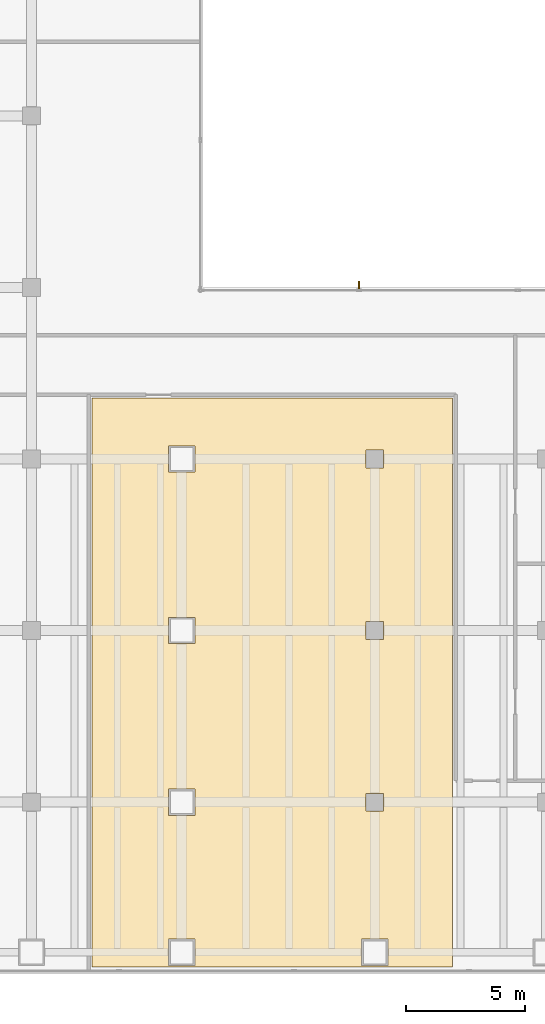
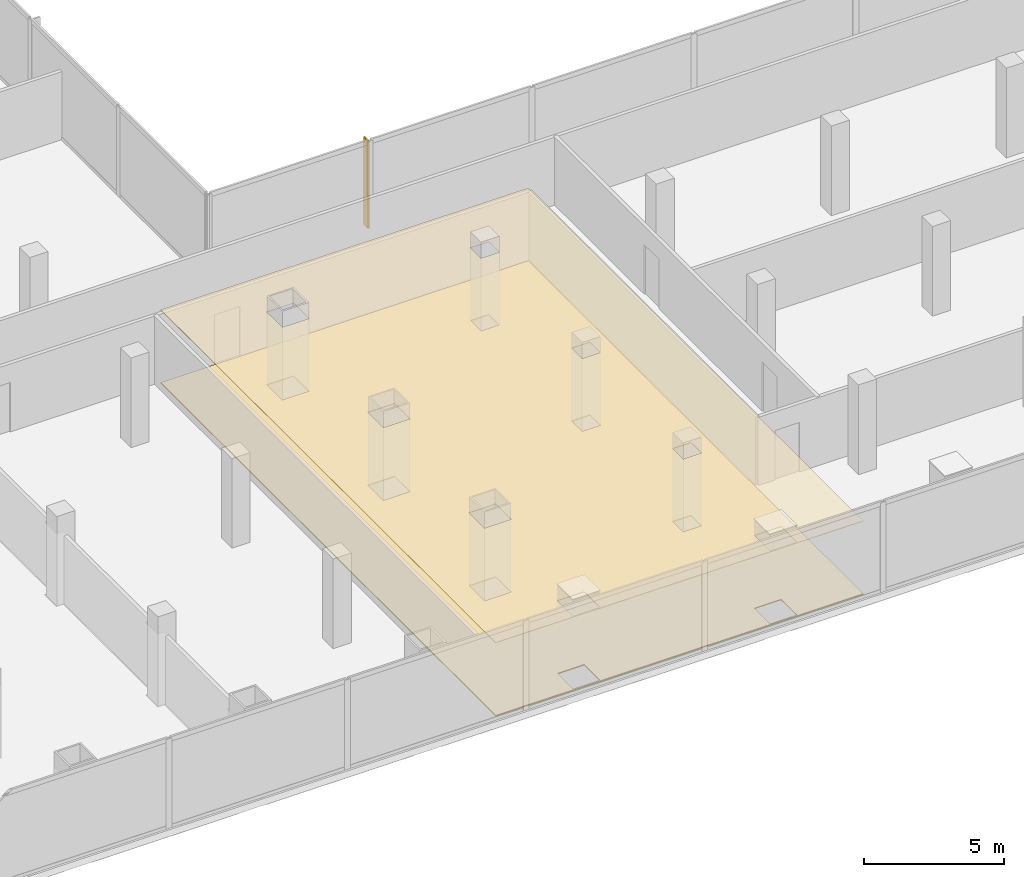
# One storey, part 29 of 32: 2 coverings, 1 shading device.
"""IFC4 building model written with IfcOpenShell, lengths in metres."""

from ifc_helpers import new_model, si_unit, direction, frame, origin, place, context, subcontext, project, spatial, polyline, outline, extrude, material, layer, layer_set, type_object, element, save


model = new_model("IFC4")

# Units and contexts
model_context = context("Model", 3, precision=1e-05, world=origin(), true_north=direction((0.0, 1.0)))
body_context = subcontext(model_context, "Body", "Model", "MODEL_VIEW")
ifc_project = project(units=[si_unit("LENGTHUNIT", "METRE"), si_unit("AREAUNIT", "SQUARE_METRE"), si_unit("VOLUMEUNIT", "CUBIC_METRE"), si_unit("PLANEANGLEUNIT", "RADIAN"), si_unit("MASSUNIT", "GRAM", prefix="KILO")], contexts=[model_context])

# Site, building, storey
site_placement = place(None, origin())
site = spatial("IfcSite", under=ifc_project, at=site_placement, CompositionType="ELEMENT")
building_placement = place(site_placement, origin())
building = spatial("IfcBuilding", under=site, at=building_placement, Name="Cobrela Telecom Tower", CompositionType="ELEMENT")
storey_placement = place(building_placement, frame((0.0, 0.0, 22.050048828125)))
storey = spatial("IfcBuildingStorey", under=building, at=storey_placement, Name="L05", CompositionType="ELEMENT", Elevation=22.050048828125)

# Coverings
ifc_material_1 = material(Name="Mineral Fibre Acoustic Ceiling Tile")
ifc_layer_1 = layer(ifc_material_1, 0.02490234375)
ifc_layer_set_1 = layer_set([ifc_layer_1], Name="Mineral Fibre Acoustic Ceiling Tile")
covering_type_1 = type_object("IfcCoveringType", Name="COV-CEIL-ACT", PredefinedType="CEILING", material=ifc_layer_set_1)
covering_1_placement = place(storey_placement, frame((0.0, 0.0, 3.179931640625)))
element("IfcCovering", 1, at=covering_1_placement, inside=storey, type_object=covering_type_1, Name="L05 Optical Training Classroom Suspended Acoustic Ceiling", PredefinedType="CEILING", context=body_context, shape_type="SweptSolid", body=[
    extrude(outline(polyline([(60.860107421875, 0.2900390625), (45.739990234375, 0.2900390625), (45.739990234375, 24.159912109375), (60.860107421875, 24.159912109375), (60.860107421875, 0.2900390625)]), holes=[polyline([(48.949951171875, 0.35009765625), (50.050048828125, 0.35009765625), (50.050048828125, 1.449951171875), (48.949951171875, 1.449951171875), (48.949951171875, 0.35009765625)]), polyline([(50.050048828125, 6.64990234375), (50.050048828125, 7.75), (48.949951171875, 7.75), (48.949951171875, 6.64990234375), (50.050048828125, 6.64990234375)]), polyline([(48.949951171875, 13.85009765625), (50.050048828125, 13.85009765625), (50.050048828125, 14.949951171875), (48.949951171875, 14.949951171875), (48.949951171875, 13.85009765625)]), polyline([(48.949951171875, 21.050048828125), (50.050048828125, 21.050048828125), (50.050048828125, 22.14990234375), (48.949951171875, 22.14990234375), (48.949951171875, 21.050048828125)]), polyline([(57.050048828125, 0.35009765625), (58.14990234375, 0.35009765625), (58.14990234375, 1.449951171875), (57.050048828125, 1.449951171875), (57.050048828125, 0.35009765625)]), polyline([(57.97509765625, 6.824951171875), (57.97509765625, 7.574951171875), (57.22509765625, 7.574951171875), (57.22509765625, 6.824951171875), (57.97509765625, 6.824951171875)]), polyline([(57.22509765625, 14.02490234375), (57.97509765625, 14.02490234375), (57.97509765625, 14.77490234375), (57.22509765625, 14.77490234375), (57.22509765625, 14.02490234375)]), polyline([(57.22509765625, 21.22509765625), (57.97509765625, 21.22509765625), (57.97509765625, 21.97509765625), (57.22509765625, 21.97509765625), (57.22509765625, 21.22509765625)])]), origin(), (0.0, 0.0, 1.0), 0.02490234375),
])
ifc_material_2 = material(Name="Honed Colombian Basalt Stone", Category="masonry")
ifc_layer_2 = layer(ifc_material_2, 0.0400390625)
ifc_layer_set_2 = layer_set([ifc_layer_2], Name="Honed Colombian Basalt Stone")
covering_type_2 = type_object("IfcCoveringType", Name="COV-FLR-STONE", PredefinedType="FLOORING", material=ifc_layer_set_2)
covering_2_placement = place(storey_placement, origin())
element("IfcCovering", 2, at=covering_2_placement, inside=storey, type_object=covering_type_2, Name="L05 Optical Training Classroom Raised Technical Flooring", PredefinedType="FLOORING", context=body_context, shape_type="SweptSolid", body=[
    extrude(outline(polyline([(60.860107421875, 0.2900390625), (45.739990234375, 0.2900390625), (45.739990234375, 24.159912109375), (60.860107421875, 24.159912109375), (60.860107421875, 0.2900390625)]), holes=[polyline([(48.949951171875, 0.35009765625), (50.050048828125, 0.35009765625), (50.050048828125, 1.449951171875), (48.949951171875, 1.449951171875), (48.949951171875, 0.35009765625)]), polyline([(50.050048828125, 6.64990234375), (50.050048828125, 7.75), (48.949951171875, 7.75), (48.949951171875, 6.64990234375), (50.050048828125, 6.64990234375)]), polyline([(48.949951171875, 13.85009765625), (50.050048828125, 13.85009765625), (50.050048828125, 14.949951171875), (48.949951171875, 14.949951171875), (48.949951171875, 13.85009765625)]), polyline([(48.949951171875, 21.050048828125), (50.050048828125, 21.050048828125), (50.050048828125, 22.14990234375), (48.949951171875, 22.14990234375), (48.949951171875, 21.050048828125)]), polyline([(57.050048828125, 0.35009765625), (58.14990234375, 0.35009765625), (58.14990234375, 1.449951171875), (57.050048828125, 1.449951171875), (57.050048828125, 0.35009765625)]), polyline([(57.97509765625, 6.824951171875), (57.97509765625, 7.574951171875), (57.22509765625, 7.574951171875), (57.22509765625, 6.824951171875), (57.97509765625, 6.824951171875)]), polyline([(57.22509765625, 14.02490234375), (57.97509765625, 14.02490234375), (57.97509765625, 14.77490234375), (57.22509765625, 14.77490234375), (57.22509765625, 14.02490234375)]), polyline([(57.22509765625, 21.22509765625), (57.97509765625, 21.22509765625), (57.97509765625, 21.97509765625), (57.22509765625, 21.97509765625), (57.22509765625, 21.22509765625)])]), origin(), (0.0, 0.0, 1.0), 0.0400390625),
])

# Shading device
ifc_material_3 = material(Name="Anodized Bronze Aluminium 6063-T6", Category="aluminium")
ifc_layer_3 = layer(ifc_material_3, 0.06005859375)
ifc_layer_set_3 = layer_set([ifc_layer_3], Name="Anodized Bronze Aluminium 6063-T6")
shading_device_type = type_object("IfcShadingDeviceType", Name="SHD-FIN-BRZ", PredefinedType="USERDEFINED", material=ifc_layer_set_3)
shading_device_placement = place(storey_placement, frame((0.0, 0.0, 0.050048828125)))
element("IfcShadingDevice", 3, at=shading_device_placement, inside=storey, type_object=shading_device_type, Name="L05 Anodized Bronze Solar Fin 08", ObjectType="SUNSHADE", PredefinedType="USERDEFINED", context=body_context, shape_type="SweptSolid", body=[
    extrude(outline(polyline([(56.909912109375, 28.719970703125), (56.969970703125, 28.719970703125), (56.969970703125, 29.06005859375), (56.909912109375, 29.06005859375), (56.909912109375, 28.719970703125)])), origin(), (0.0, 0.0, 1.0), 3.7998046875),
])

save(model, "model.ifc")
